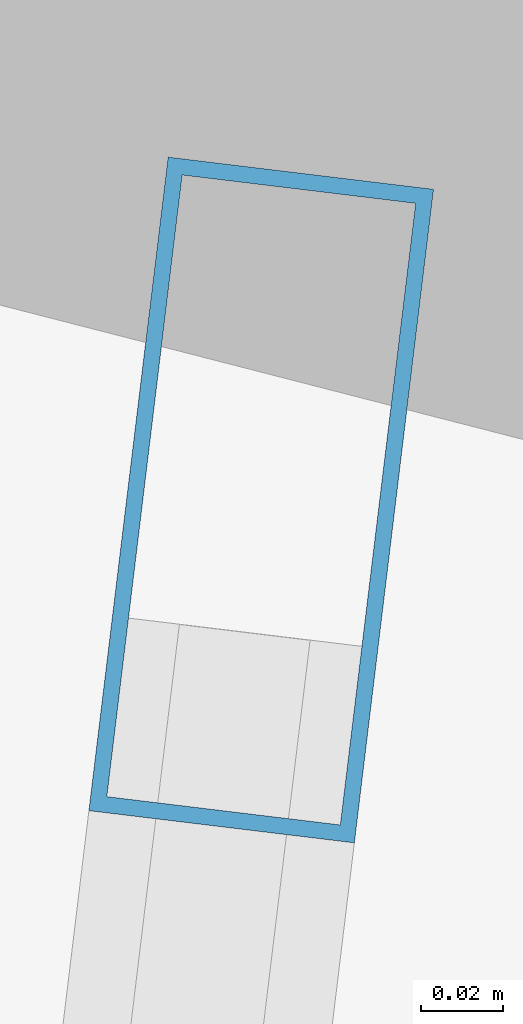
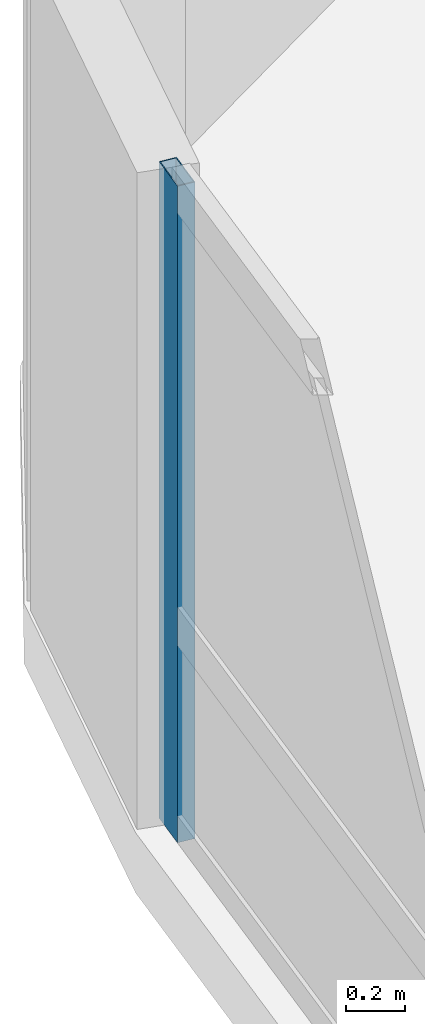
# One storey, part 12 of 26: 1 member, 1 element without a shape of its own.
"""IFC4 building model written with IfcOpenShell, lengths in metres."""

from ifc_helpers import new_model, si_unit, direction, frame, origin, origin_2d, place, context, subcontext, project, spatial, hollow_rectangle, extrude, material, layer, layer_set, material_profile, profile_set, type_object, element, aggregate, save


model = new_model("IFC4")

# Units and contexts
model_context = context("Model", 3, precision=1e-05, world=origin(), true_north=direction((0.0, 1.0)))
body_context = subcontext(model_context, "Body", "Model", "MODEL_VIEW")
ifc_project = project(units=[si_unit("LENGTHUNIT", "METRE"), si_unit("AREAUNIT", "SQUARE_METRE"), si_unit("VOLUMEUNIT", "CUBIC_METRE"), si_unit("PLANEANGLEUNIT", "RADIAN"), si_unit("MASSUNIT", "GRAM", prefix="KILO")], contexts=[model_context])

# Site, building, storey
site_placement = place(None, origin())
site = spatial("IfcSite", under=ifc_project, at=site_placement, CompositionType="ELEMENT")
building_placement = place(site_placement, origin())
building = spatial("IfcBuilding", under=site, at=building_placement, Name="Varnelok Gate Tower", CompositionType="ELEMENT")
storey_placement = place(building_placement, frame((0.0, 0.0, 129.10009765625)))
storey = spatial("IfcBuildingStorey", under=building, at=storey_placement, Name="L32", CompositionType="ELEMENT", Elevation=129.10009765625)

# Curtain wall, member
ifc_material = material(Name="Anodized Aluminum Alloy 6063-T6", Category="aluminium")
ifc_layer = layer(ifc_material, 0.179931640625)
ifc_layer_set = layer_set([ifc_layer], Name="Anodized Aluminum Alloy 6063-T6")
curtain_wall_type = type_object("IfcCurtainWallType", Name="CW3-HOTEL-VISION", PredefinedType="USERDEFINED", material=ifc_layer_set)
curtain_wall_placement = place(storey_placement, origin())
curtain_wall = element("IfcCurtainWall", 1, at=curtain_wall_placement, inside=storey, type_object=curtain_wall_type, Name="L32 West End Vision Curtain Wall", ObjectType="UNITISED CURTAIN WALL", PredefinedType="USERDEFINED")
ifc_material_profile = material_profile(ifc_material, hollow_rectangle(XDim=0.06494140625, YDim=0.159912109375, WallThickness=0.00390625, at=origin_2d()), Name="ALU160X65X4")
ifc_profile_set = profile_set([ifc_material_profile], Name="Anodized Aluminum Alloy 6063-T6")
member_type = type_object("IfcMemberType", Name="CW-MULL-160", PredefinedType="MULLION", material=ifc_profile_set)
member_placement = place(storey_placement, frame((4.57177734375, 47.596923828125, 0.0), z_axis=(0.0, 0.0, 1.0), x_axis=(-0.99273188146, 0.120347046212, 0.0)))
member = element("IfcMember", 2, at=member_placement, type_object=member_type, Name="CW3 mullion 6", PredefinedType="MULLION", context=body_context, shape_type="SweptSolid", body=[
    extrude(hollow_rectangle(XDim=0.06494140625, YDim=0.159912109375, WallThickness=0.00390625, at=origin_2d()), origin(), (0.0, 0.0, 1.0), 2.72998046875),
])
aggregate(curtain_wall, [member])

save(model, "model.ifc")
